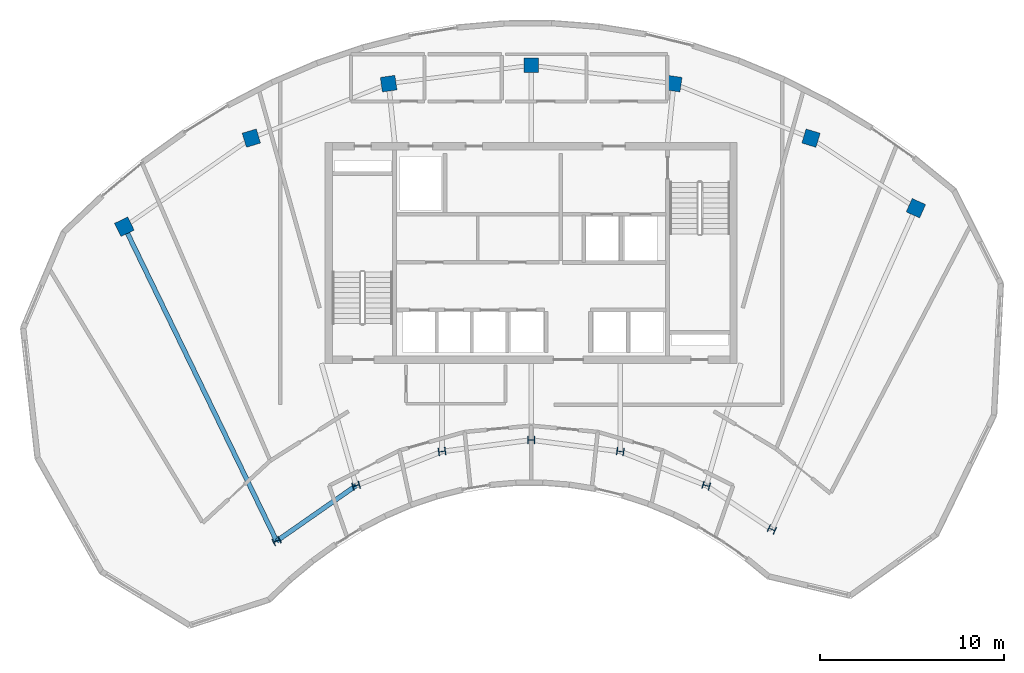
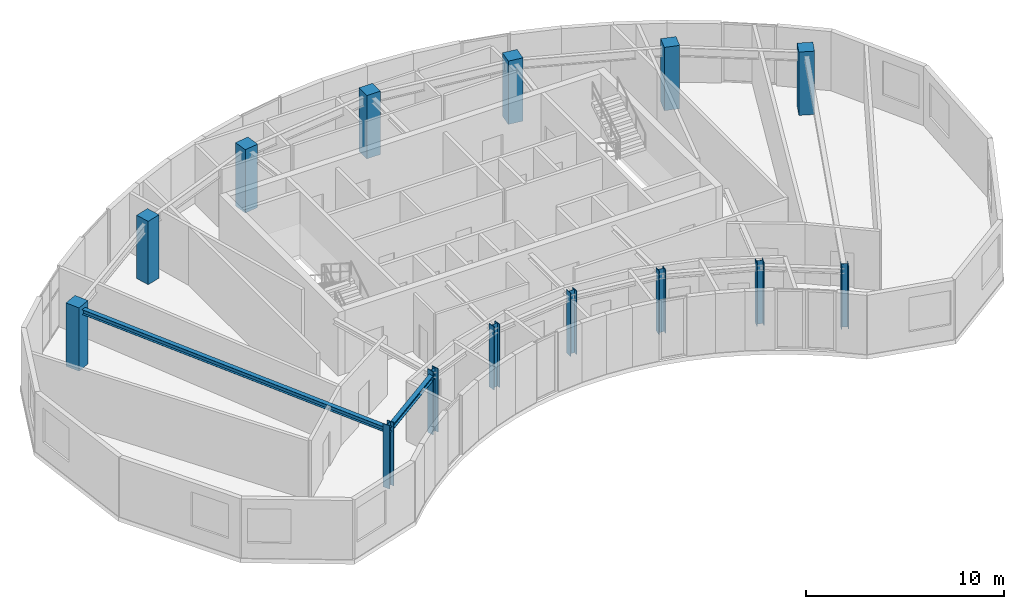
# One storey, part 1 of 9: 14 columns, 2 beams.
"""IFC4 building model written with IfcOpenShell, lengths in metres."""

from ifc_helpers import new_model, si_unit, direction, frame, origin, origin_2d, place, context, subcontext, project, spatial, rectangle, i_section, extrude, source, transform, mapped, material, material_profile, profile_set, type_object, type_shapes, element, save


model = new_model("IFC4")

# Units and contexts
model_context = context("Model", 3, precision=1e-05, world=origin(), true_north=direction((0.0, 1.0)))
body_context = subcontext(model_context, "Body", "Model", "MODEL_VIEW")
ifc_project = project(units=[si_unit("LENGTHUNIT", "METRE"), si_unit("AREAUNIT", "SQUARE_METRE"), si_unit("VOLUMEUNIT", "CUBIC_METRE"), si_unit("PLANEANGLEUNIT", "RADIAN"), si_unit("MASSUNIT", "GRAM", prefix="KILO")], contexts=[model_context])

# Site, building, storey
site_placement = place(None, origin())
site = spatial("IfcSite", under=ifc_project, at=site_placement, CompositionType="ELEMENT")
building_placement = place(site_placement, origin())
building = spatial("IfcBuilding", under=site, at=building_placement, Name="Breltana Convention Tower", CompositionType="ELEMENT")
storey_placement = place(building_placement, frame((0.0, 0.0, 279.60009765625)))
storey = spatial("IfcBuildingStorey", under=building, at=storey_placement, Name="L68", CompositionType="ELEMENT", Elevation=279.60009765625)

# Columns
ifc_material_1 = material(Name="Steel ASTM A992 Grade 50", Category="steel")
ifc_material_profile_1 = material_profile(ifc_material_1, i_section(OverallWidth=0.39892578125, OverallDepth=0.386962890625, WebThickness=0.02099609375, FlangeThickness=0.033203125, at=origin_2d()), Name="W14X176")
ifc_profile_set_1 = profile_set([ifc_material_profile_1], Name="Steel ASTM A992 Grade 50")
column_type_1 = type_object("IfcColumnType", Name="COL-STL-W14X176", PredefinedType="COLUMN", material=ifc_profile_set_1)
shared_shape_1 = source(origin(), body_context, "Body", "SweptSolid", [
    extrude(i_section(OverallWidth=0.39892578125, OverallDepth=0.386962890625, WebThickness=0.02099609375, FlangeThickness=0.033203125, at=origin_2d()), origin(), (0.0, 0.0, 1.0), 3.89990234375),
])
type_shapes(column_type_1, [shared_shape_1])
for number, where, z_axis, x_axis, name in (
    (1, (34.166259765625, 50.544921875, 0.0), (0.0, 0.0, 1.0), (-0.436173672171, 0.899862504889, 0.0), "L68 Tower Column R03-IN"),
    (2, (38.485107421875, 53.5576171875, 0.0), (0.0, 0.0, 1.0), (-0.288697611798, 0.957420330337, 0.0), "L68 Tower Column R04-IN"),
    (3, (43.153564453125, 55.41064453125, 0.0), (0.0, 0.0, 1.0), (-0.143492621991, 0.98965138682, 0.0), "L68 Tower Column R05-IN"),
    (4, (48.0, 56.035888671875, 0.0), (0.0, 0.0, 1.0), (0.0, 1.0, 0.0), "L68 Tower Column R06-IN"),
    (5, (52.846435546875, 55.41064453125, 0.0), (0.0, 0.0, 1.0), (0.143492621991, 0.98965138682, 0.0), "L68 Tower Column R07-IN"),
    (6, (57.514892578125, 53.5576171875, 0.0), (0.0, 0.0, 1.0), (0.288697611798, 0.957420330337, 0.0), "L68 Tower Column R08-IN"),
    (7, (61.08203125, 51.174560546875, 0.0), (0.0, 0.0, 1.0), (0.409126902895, 0.912477494148, 0.0), "L68 Tower Column R09-IN"),
):
    element("IfcColumn", number, at=place(storey_placement, frame(where, z_axis=z_axis, x_axis=x_axis)), inside=storey, type_object=column_type_1, Name=name, PredefinedType="COLUMN", context=body_context, shape_type="MappedRepresentation", body=[
        mapped(shared_shape_1, transform((0.0, 0.0, 0.0), scale=1.0)),
    ])
ifc_material_2 = material(Name="Concrete C50/60", Category="concrete")
ifc_material_profile_2 = material_profile(ifc_material_2, rectangle(XDim=0.800048828125, YDim=0.800048828125, at=origin_2d()), Name="RC-COL-800X800")
ifc_profile_set_2 = profile_set([ifc_material_profile_2], Name="Concrete C50/60")
column_type_2 = type_object("IfcColumnType", Name="COL-RC-800", PredefinedType="COLUMN", material=ifc_profile_set_2)
shared_shape_2 = source(origin(), body_context, "Body", "SweptSolid", [
    extrude(rectangle(XDim=0.800048828125, YDim=0.800048828125, at=origin_2d()), origin(), (0.0, 0.0, 1.0), 3.89990234375),
])
for number, where, z_axis, x_axis, name in (
    (8, (25.8876953125, 67.626953125, 0.0), (0.0, 0.0, 1.0), (-0.436173672171, 0.899862504889, 0.0), "L68 Tower Column R03-OUT"),
    (9, (32.791015625, 72.4423828125, 0.0), (0.0, 0.0, 1.0), (-0.288697611798, 0.957420330337, 0.0), "L68 Tower Column R04-OUT"),
    (10, (40.253173828125, 75.404296875, 0.0), (0.0, 0.0, 1.0), (-0.143492621991, 0.98965138682, 0.0), "L68 Tower Column R05-OUT"),
    (11, (48.0, 76.404052734375, 0.0), (0.0, 0.0, 1.0), (0.0, 1.0, 0.0), "L68 Tower Column R06-OUT"),
    (12, (55.746826171875, 75.404296875, 0.0), (0.0, 0.0, 1.0), (0.143492621991, 0.98965138682, 0.0), "L68 Tower Column R07-OUT"),
    (13, (63.208984375, 72.4423828125, 0.0), (0.0, 0.0, 1.0), (0.288697611798, 0.957420330337, 0.0), "L68 Tower Column R08-OUT"),
    (14, (68.910400390625, 68.63330078125, 0.0), (0.0, 0.0, 1.0), (0.409126902895, 0.912477494148, 0.0), "L68 Tower Column R09-OUT"),
):
    element("IfcColumn", number, at=place(storey_placement, frame(where, z_axis=z_axis, x_axis=x_axis)), inside=storey, type_object=column_type_2, Name=name, PredefinedType="COLUMN", context=body_context, shape_type="MappedRepresentation", body=[
        mapped(shared_shape_2, transform((0.0, 0.0, 0.0), scale=1.0)),
    ])

# Beams
ifc_material_profile_3 = material_profile(ifc_material_1, i_section(OverallWidth=0.25390625, OverallDepth=0.305908203125, WebThickness=0.0087890625, FlangeThickness=0.0146484375, at=origin_2d()), Name="W12X53")
ifc_profile_set_3 = profile_set([ifc_material_profile_3], Name="Steel ASTM A992 Grade 50")
beam_type = type_object("IfcBeamType", Name="BM-CN-W12X53", PredefinedType="BEAM", material=ifc_profile_set_3)
shared_shape_3 = source(origin(), body_context, "Body", "SweptSolid", [
    extrude(i_section(OverallWidth=0.25390625, OverallDepth=0.305908203125, WebThickness=0.0087890625, FlangeThickness=0.0146484375, at=origin_2d()), origin(), (0.0, 0.0, 1.0), 18.982421875),
])
beam_1_placement = place(storey_placement, frame((34.166259765625, 50.544921875, 3.48681640625), z_axis=(-0.436118560343, 0.89988921614, 0.0), x_axis=(-0.89988921614, -0.436118560343, 0.0)))
element("IfcBeam", 15, at=beam_1_placement, inside=storey, type_object=beam_type, Name="L68 Radial Floor Girder R03", PredefinedType="BEAM", context=body_context, shape_type="MappedRepresentation", body=[
    mapped(shared_shape_3, transform((0.0, 0.0, 0.0), scale=1.0)),
])
shared_shape_4 = source(origin(), body_context, "Body", "SweptSolid", [
    extrude(i_section(OverallWidth=0.25390625, OverallDepth=0.305908203125, WebThickness=0.0087890625, FlangeThickness=0.0146484375, at=origin_2d()), origin(), (0.0, 0.0, 1.0), 5.265869140625),
])
beam_2_placement = place(storey_placement, frame((34.166259765625, 50.544921875, 3.48681640625), z_axis=(0.820167429517, 0.572123577176, 0.0), x_axis=(-0.572123577176, 0.820167429517, 0.0)))
element("IfcBeam", 16, at=beam_2_placement, inside=storey, type_object=beam_type, Name="L68 Inner Ring Beam 03", PredefinedType="BEAM", context=body_context, shape_type="MappedRepresentation", body=[
    mapped(shared_shape_4, transform((0.0, 0.0, 0.0), scale=1.0)),
])

save(model, "model.ifc")
